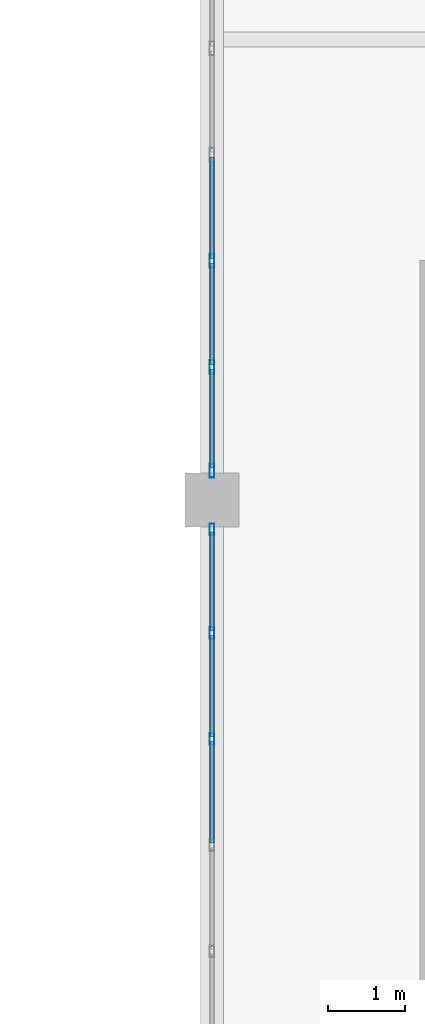
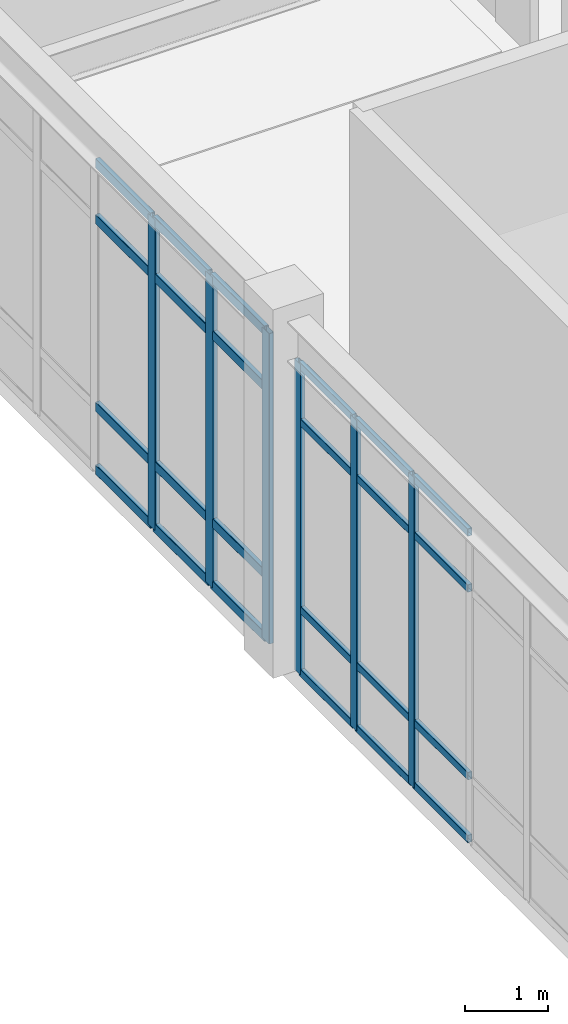
# One storey, part 12 of 80: 30 members, 2 elements without a shape of their own.
"""IFC4 building model written with IfcOpenShell, lengths in metres."""

from ifc_helpers import new_model, si_unit, direction, frame, origin, origin_2d, place, context, subcontext, project, spatial, hollow_rectangle, extrude, material, material_profile, profile_set, type_object, element, aggregate, save


model = new_model("IFC4")

# Units and contexts
model_context = context("Model", 3, precision=1e-05, world=origin(), true_north=direction((0.0, 1.0)))
body_context = subcontext(model_context, "Body", "Model", "MODEL_VIEW")
ifc_project = project(units=[si_unit("LENGTHUNIT", "METRE"), si_unit("AREAUNIT", "SQUARE_METRE"), si_unit("VOLUMEUNIT", "CUBIC_METRE"), si_unit("PLANEANGLEUNIT", "RADIAN"), si_unit("MASSUNIT", "GRAM", prefix="KILO")], contexts=[model_context])

# Site, building, storey
site_placement = place(None, origin())
site = spatial("IfcSite", under=ifc_project, at=site_placement, CompositionType="ELEMENT")
building_placement = place(site_placement, origin())
building = spatial("IfcBuilding", under=site, at=building_placement, Name="Canglan Escarpment Cableway Terminal", CompositionType="ELEMENT")
storey_placement = place(building_placement, frame((0.0, 0.0, 19.199951171875)))
storey = spatial("IfcBuildingStorey", under=building, at=storey_placement, Name="L04", CompositionType="ELEMENT", Elevation=19.199951171875)

# Curtain wall, members
ifc_material_1 = material(Name="Anodized bronze aluminium and Low-E double glazing", Category="aluminium")
curtain_wall_type = type_object("IfcCurtainWallType", Name="CW-BAY-8300x4550", PredefinedType="NOTDEFINED", material=ifc_material_1)
curtain_wall_1_placement = place(storey_placement, origin())
curtain_wall_1 = element("IfcCurtainWall", 1, at=curtain_wall_1_placement, inside=storey, type_object=curtain_wall_type, Name="Classical bay-between-piers glazed curtain wall CW-64", PredefinedType="NOTDEFINED")
ifc_material_2 = material(Name="Thermally broken anodized aluminium 6063-T6", Category="aluminium")
ifc_material_profile_1 = material_profile(ifc_material_2, hollow_rectangle(XDim=0.06494140625, YDim=0.14990234375, WallThickness=0.00341796875, InnerFilletRadius=0.00341796875, OuterFilletRadius=0.007080078125, at=origin_2d()), Name="ALU-MULL 65x150x3.5")
ifc_profile_set_1 = profile_set([ifc_material_profile_1], Name="Thermally broken anodized aluminium 6063-T6")
member_type_1 = type_object("IfcMemberType", Name="CWM-02", PredefinedType="MULLION", material=ifc_profile_set_1)
member_1_placement = place(storey_placement, frame((137.60009765625, 42.617431640625, 0.0), z_axis=(0.0, 0.0, 1.0), x_axis=(1.0, 0.0, 0.0)))
member_1 = element("IfcMember", 2, at=member_1_placement, type_object=member_type_1, Name="CW-64 mullion 1", PredefinedType="MULLION", context=body_context, shape_type="SweptSolid", body=[
    extrude(hollow_rectangle(XDim=0.06494140625, YDim=0.14990234375, WallThickness=0.00341796875, InnerFilletRadius=0.00341796875, OuterFilletRadius=0.007080078125, at=origin_2d()), origin(), (0.0, 0.0, 1.0), 4.551025390625),
])
member_2_placement = place(storey_placement, frame((137.60009765625, 41.2666015625, 0.0), z_axis=(0.0, 0.0, 1.0), x_axis=(1.0, 0.0, 0.0)))
member_2 = element("IfcMember", 3, at=member_2_placement, type_object=member_type_1, Name="CW-64 mullion 2", PredefinedType="MULLION", context=body_context, shape_type="SweptSolid", body=[
    extrude(hollow_rectangle(XDim=0.06494140625, YDim=0.14990234375, WallThickness=0.00341796875, InnerFilletRadius=0.00341796875, OuterFilletRadius=0.007080078125, at=origin_2d()), origin(), (0.0, 0.0, 1.0), 4.551025390625),
])
member_3_placement = place(storey_placement, frame((137.60009765625, 39.88330078125, 0.0), z_axis=(0.0, 0.0, 1.0), x_axis=(1.0, 0.0, 0.0)))
member_3 = element("IfcMember", 4, at=member_3_placement, type_object=member_type_1, Name="CW-64 mullion 3", PredefinedType="MULLION", context=body_context, shape_type="SweptSolid", body=[
    extrude(hollow_rectangle(XDim=0.06494140625, YDim=0.14990234375, WallThickness=0.00341796875, InnerFilletRadius=0.00341796875, OuterFilletRadius=0.007080078125, at=origin_2d()), origin(), (0.0, 0.0, 1.0), 4.551025390625),
])

curtain_wall_2_placement = place(storey_placement, origin())
curtain_wall_2 = element("IfcCurtainWall", 5, at=curtain_wall_2_placement, inside=storey, type_object=curtain_wall_type, Name="Classical bay-between-piers glazed curtain wall CW-64", PredefinedType="NOTDEFINED")
ifc_material_profile_2 = material_profile(ifc_material_2, hollow_rectangle(XDim=0.06494140625, YDim=0.179931640625, WallThickness=0.00390625, InnerFilletRadius=0.00390625, OuterFilletRadius=0.008056640625, at=origin_2d()), Name="ALU-MULL 65x180x4")
ifc_profile_set_2 = profile_set([ifc_material_profile_2], Name="Thermally broken anodized aluminium 6063-T6")
member_type_2 = type_object("IfcMemberType", Name="CWM-03", PredefinedType="MULLION", material=ifc_profile_set_2)
member_4_placement = place(storey_placement, frame((137.60009765625, 46.11669921875, 0.0), z_axis=(0.0, 0.0, 1.0), x_axis=(1.0, 0.0, 0.0)))
member_4 = element("IfcMember", 6, at=member_4_placement, type_object=member_type_2, Name="CW-64 mullion 5", PredefinedType="MULLION", context=body_context, shape_type="SweptSolid", body=[
    extrude(hollow_rectangle(XDim=0.06494140625, YDim=0.179931640625, WallThickness=0.00390625, InnerFilletRadius=0.00390625, OuterFilletRadius=0.008056640625, at=origin_2d()), origin(), (0.0, 0.0, 1.0), 4.551025390625),
])
member_5_placement = place(storey_placement, frame((137.60009765625, 44.7333984375, 0.0), z_axis=(0.0, 0.0, 1.0), x_axis=(1.0, 0.0, 0.0)))
member_5 = element("IfcMember", 7, at=member_5_placement, type_object=member_type_2, Name="CW-64 mullion 6", PredefinedType="MULLION", context=body_context, shape_type="SweptSolid", body=[
    extrude(hollow_rectangle(XDim=0.06494140625, YDim=0.179931640625, WallThickness=0.00390625, InnerFilletRadius=0.00390625, OuterFilletRadius=0.008056640625, at=origin_2d()), origin(), (0.0, 0.0, 1.0), 4.551025390625),
])
member_6_placement = place(storey_placement, frame((137.60009765625, 43.382568359375, 0.0), z_axis=(0.0, 0.0, 1.0), x_axis=(1.0, 0.0, 0.0)))
member_6 = element("IfcMember", 8, at=member_6_placement, type_object=member_type_2, Name="CW-64 mullion 7", PredefinedType="MULLION", context=body_context, shape_type="SweptSolid", body=[
    extrude(hollow_rectangle(XDim=0.06494140625, YDim=0.179931640625, WallThickness=0.00390625, InnerFilletRadius=0.00390625, OuterFilletRadius=0.008056640625, at=origin_2d()), origin(), (0.0, 0.0, 1.0), 4.551025390625),
])

# Member
ifc_material_profile_3 = material_profile(ifc_material_2, hollow_rectangle(XDim=0.06005859375, YDim=0.110107421875, WallThickness=0.0029296875, InnerFilletRadius=0.0029296875, OuterFilletRadius=0.006103515625, at=origin_2d()), Name="ALU-TRAN 60x110x3")
ifc_profile_set_3 = profile_set([ifc_material_profile_3], Name="Thermally broken anodized aluminium 6063-T6")
member_type_3 = type_object("IfcMemberType", Name="CWT-02", PredefinedType="USERDEFINED", material=ifc_profile_set_3)
member_7_placement = place(storey_placement, frame((137.60009765625, 42.5849609375, 0.030029296875), z_axis=(0.0, -1.0, 0.0), x_axis=(1.0, 0.0, 0.0)))
member_7 = element("IfcMember", 9, at=member_7_placement, type_object=member_type_3, Name="CW-64 transom 1.1", ObjectType="TRANSOM", PredefinedType="USERDEFINED", context=body_context, shape_type="SweptSolid", body=[
    extrude(hollow_rectangle(XDim=0.06005859375, YDim=0.110107421875, WallThickness=0.0029296875, InnerFilletRadius=0.0029296875, OuterFilletRadius=0.006103515625, at=origin_2d()), origin(), (0.0, 0.0, 1.0), 1.285888671875),
])

member_8_placement = place(storey_placement, frame((137.60009765625, 42.5849609375, 0.949951171875), z_axis=(0.0, -1.0, 0.0), x_axis=(1.0, 0.0, 0.0)))
member_8 = element("IfcMember", 10, at=member_8_placement, type_object=member_type_3, Name="CW-64 transom 1.2", ObjectType="TRANSOM", PredefinedType="USERDEFINED", context=body_context, shape_type="SweptSolid", body=[
    extrude(hollow_rectangle(XDim=0.06005859375, YDim=0.110107421875, WallThickness=0.0029296875, InnerFilletRadius=0.0029296875, OuterFilletRadius=0.006103515625, at=origin_2d()), origin(), (0.0, 0.0, 1.0), 1.285888671875),
])

member_9_placement = place(storey_placement, frame((137.60009765625, 42.5849609375, 3.700927734375), z_axis=(0.0, -1.0, 0.0), x_axis=(1.0, 0.0, 0.0)))
member_9 = element("IfcMember", 11, at=member_9_placement, type_object=member_type_3, Name="CW-64 transom 1.3", ObjectType="TRANSOM", PredefinedType="USERDEFINED", context=body_context, shape_type="SweptSolid", body=[
    extrude(hollow_rectangle(XDim=0.06005859375, YDim=0.110107421875, WallThickness=0.0029296875, InnerFilletRadius=0.0029296875, OuterFilletRadius=0.006103515625, at=origin_2d()), origin(), (0.0, 0.0, 1.0), 1.285888671875),
])

member_10_placement = place(storey_placement, frame((137.60009765625, 42.5849609375, 4.52099609375), z_axis=(0.0, -1.0, 0.0), x_axis=(1.0, 0.0, 0.0)))
member_10 = element("IfcMember", 12, at=member_10_placement, type_object=member_type_3, Name="CW-64 transom 1.4", ObjectType="TRANSOM", PredefinedType="USERDEFINED", context=body_context, shape_type="SweptSolid", body=[
    extrude(hollow_rectangle(XDim=0.06005859375, YDim=0.110107421875, WallThickness=0.0029296875, InnerFilletRadius=0.0029296875, OuterFilletRadius=0.006103515625, at=origin_2d()), origin(), (0.0, 0.0, 1.0), 1.285888671875),
])

member_11_placement = place(storey_placement, frame((137.60009765625, 41.234130859375, 0.030029296875), z_axis=(0.0, -1.0, 0.0), x_axis=(1.0, 0.0, 0.0)))
member_11 = element("IfcMember", 13, at=member_11_placement, type_object=member_type_3, Name="CW-64 transom 2.1", ObjectType="TRANSOM", PredefinedType="USERDEFINED", context=body_context, shape_type="SweptSolid", body=[
    extrude(hollow_rectangle(XDim=0.06005859375, YDim=0.110107421875, WallThickness=0.0029296875, InnerFilletRadius=0.0029296875, OuterFilletRadius=0.006103515625, at=origin_2d()), origin(), (0.0, 0.0, 1.0), 1.318359375),
])

member_12_placement = place(storey_placement, frame((137.60009765625, 41.234130859375, 0.949951171875), z_axis=(0.0, -1.0, 0.0), x_axis=(1.0, 0.0, 0.0)))
member_12 = element("IfcMember", 14, at=member_12_placement, type_object=member_type_3, Name="CW-64 transom 2.2", ObjectType="TRANSOM", PredefinedType="USERDEFINED", context=body_context, shape_type="SweptSolid", body=[
    extrude(hollow_rectangle(XDim=0.06005859375, YDim=0.110107421875, WallThickness=0.0029296875, InnerFilletRadius=0.0029296875, OuterFilletRadius=0.006103515625, at=origin_2d()), origin(), (0.0, 0.0, 1.0), 1.318359375),
])

member_13_placement = place(storey_placement, frame((137.60009765625, 41.234130859375, 3.700927734375), z_axis=(0.0, -1.0, 0.0), x_axis=(1.0, 0.0, 0.0)))
member_13 = element("IfcMember", 15, at=member_13_placement, type_object=member_type_3, Name="CW-64 transom 2.3", ObjectType="TRANSOM", PredefinedType="USERDEFINED", context=body_context, shape_type="SweptSolid", body=[
    extrude(hollow_rectangle(XDim=0.06005859375, YDim=0.110107421875, WallThickness=0.0029296875, InnerFilletRadius=0.0029296875, OuterFilletRadius=0.006103515625, at=origin_2d()), origin(), (0.0, 0.0, 1.0), 1.318359375),
])

member_14_placement = place(storey_placement, frame((137.60009765625, 41.234130859375, 4.52099609375), z_axis=(0.0, -1.0, 0.0), x_axis=(1.0, 0.0, 0.0)))
member_14 = element("IfcMember", 16, at=member_14_placement, type_object=member_type_3, Name="CW-64 transom 2.4", ObjectType="TRANSOM", PredefinedType="USERDEFINED", context=body_context, shape_type="SweptSolid", body=[
    extrude(hollow_rectangle(XDim=0.06005859375, YDim=0.110107421875, WallThickness=0.0029296875, InnerFilletRadius=0.0029296875, OuterFilletRadius=0.006103515625, at=origin_2d()), origin(), (0.0, 0.0, 1.0), 1.318359375),
])

member_15_placement = place(storey_placement, frame((137.60009765625, 39.850830078125, 0.030029296875), z_axis=(0.0, -1.0, 0.0), x_axis=(1.0, 0.0, 0.0)))
member_15 = element("IfcMember", 17, at=member_15_placement, type_object=member_type_3, Name="CW-64 transom 3.1", ObjectType="TRANSOM", PredefinedType="USERDEFINED", context=body_context, shape_type="SweptSolid", body=[
    extrude(hollow_rectangle(XDim=0.06005859375, YDim=0.110107421875, WallThickness=0.0029296875, InnerFilletRadius=0.0029296875, OuterFilletRadius=0.006103515625, at=origin_2d()), origin(), (0.0, 0.0, 1.0), 1.318359375),
])

member_16_placement = place(storey_placement, frame((137.60009765625, 39.850830078125, 0.949951171875), z_axis=(0.0, -1.0, 0.0), x_axis=(1.0, 0.0, 0.0)))
member_16 = element("IfcMember", 18, at=member_16_placement, type_object=member_type_3, Name="CW-64 transom 3.2", ObjectType="TRANSOM", PredefinedType="USERDEFINED", context=body_context, shape_type="SweptSolid", body=[
    extrude(hollow_rectangle(XDim=0.06005859375, YDim=0.110107421875, WallThickness=0.0029296875, InnerFilletRadius=0.0029296875, OuterFilletRadius=0.006103515625, at=origin_2d()), origin(), (0.0, 0.0, 1.0), 1.318359375),
])

member_17_placement = place(storey_placement, frame((137.60009765625, 39.850830078125, 3.700927734375), z_axis=(0.0, -1.0, 0.0), x_axis=(1.0, 0.0, 0.0)))
member_17 = element("IfcMember", 19, at=member_17_placement, type_object=member_type_3, Name="CW-64 transom 3.3", ObjectType="TRANSOM", PredefinedType="USERDEFINED", context=body_context, shape_type="SweptSolid", body=[
    extrude(hollow_rectangle(XDim=0.06005859375, YDim=0.110107421875, WallThickness=0.0029296875, InnerFilletRadius=0.0029296875, OuterFilletRadius=0.006103515625, at=origin_2d()), origin(), (0.0, 0.0, 1.0), 1.318359375),
])

member_18_placement = place(storey_placement, frame((137.60009765625, 39.850830078125, 4.52099609375), z_axis=(0.0, -1.0, 0.0), x_axis=(1.0, 0.0, 0.0)))
member_18 = element("IfcMember", 20, at=member_18_placement, type_object=member_type_3, Name="CW-64 transom 3.4", ObjectType="TRANSOM", PredefinedType="USERDEFINED", context=body_context, shape_type="SweptSolid", body=[
    extrude(hollow_rectangle(XDim=0.06005859375, YDim=0.110107421875, WallThickness=0.0029296875, InnerFilletRadius=0.0029296875, OuterFilletRadius=0.006103515625, at=origin_2d()), origin(), (0.0, 0.0, 1.0), 1.318359375),
])

aggregate(curtain_wall_1, [member_1, member_2, member_3, member_7, member_8, member_9, member_10, member_11, member_12, member_13, member_14, member_15, member_16, member_17, member_18])

ifc_material_profile_4 = material_profile(ifc_material_2, hollow_rectangle(XDim=0.06494140625, YDim=0.139892578125, WallThickness=0.00341796875, InnerFilletRadius=0.00341796875, OuterFilletRadius=0.007080078125, at=origin_2d()), Name="ALU-TRAN 65x140x3.5")
ifc_profile_set_4 = profile_set([ifc_material_profile_4], Name="Thermally broken anodized aluminium 6063-T6")
member_type_4 = type_object("IfcMemberType", Name="CWT-03", PredefinedType="USERDEFINED", material=ifc_profile_set_4)
member_19_placement = place(storey_placement, frame((137.60009765625, 47.467529296875, 0.032470703125), z_axis=(0.0, -1.0, 0.0), x_axis=(1.0, 0.0, 0.0)))
member_19 = element("IfcMember", 21, at=member_19_placement, type_object=member_type_4, Name="CW-64 transom 4.1", ObjectType="TRANSOM", PredefinedType="USERDEFINED", context=body_context, shape_type="SweptSolid", body=[
    extrude(hollow_rectangle(XDim=0.06494140625, YDim=0.139892578125, WallThickness=0.00341796875, InnerFilletRadius=0.00341796875, OuterFilletRadius=0.007080078125, at=origin_2d()), origin(), (0.0, 0.0, 1.0), 1.318359375),
])

member_20_placement = place(storey_placement, frame((137.60009765625, 47.467529296875, 0.949951171875), z_axis=(0.0, -1.0, 0.0), x_axis=(1.0, 0.0, 0.0)))
member_20 = element("IfcMember", 22, at=member_20_placement, type_object=member_type_4, Name="CW-64 transom 4.2", ObjectType="TRANSOM", PredefinedType="USERDEFINED", context=body_context, shape_type="SweptSolid", body=[
    extrude(hollow_rectangle(XDim=0.06494140625, YDim=0.139892578125, WallThickness=0.00341796875, InnerFilletRadius=0.00341796875, OuterFilletRadius=0.007080078125, at=origin_2d()), origin(), (0.0, 0.0, 1.0), 1.318359375),
])

member_21_placement = place(storey_placement, frame((137.60009765625, 47.467529296875, 3.700927734375), z_axis=(0.0, -1.0, 0.0), x_axis=(1.0, 0.0, 0.0)))
member_21 = element("IfcMember", 23, at=member_21_placement, type_object=member_type_4, Name="CW-64 transom 4.3", ObjectType="TRANSOM", PredefinedType="USERDEFINED", context=body_context, shape_type="SweptSolid", body=[
    extrude(hollow_rectangle(XDim=0.06494140625, YDim=0.139892578125, WallThickness=0.00341796875, InnerFilletRadius=0.00341796875, OuterFilletRadius=0.007080078125, at=origin_2d()), origin(), (0.0, 0.0, 1.0), 1.318359375),
])

member_22_placement = place(storey_placement, frame((137.60009765625, 47.467529296875, 4.5185546875), z_axis=(0.0, -1.0, 0.0), x_axis=(1.0, 0.0, 0.0)))
member_22 = element("IfcMember", 24, at=member_22_placement, type_object=member_type_4, Name="CW-64 transom 4.4", ObjectType="TRANSOM", PredefinedType="USERDEFINED", context=body_context, shape_type="SweptSolid", body=[
    extrude(hollow_rectangle(XDim=0.06494140625, YDim=0.139892578125, WallThickness=0.00341796875, InnerFilletRadius=0.00341796875, OuterFilletRadius=0.007080078125, at=origin_2d()), origin(), (0.0, 0.0, 1.0), 1.318359375),
])

member_23_placement = place(storey_placement, frame((137.60009765625, 46.084228515625, 0.032470703125), z_axis=(0.0, -1.0, 0.0), x_axis=(1.0, 0.0, 0.0)))
member_23 = element("IfcMember", 25, at=member_23_placement, type_object=member_type_4, Name="CW-64 transom 5.1", ObjectType="TRANSOM", PredefinedType="USERDEFINED", context=body_context, shape_type="SweptSolid", body=[
    extrude(hollow_rectangle(XDim=0.06494140625, YDim=0.139892578125, WallThickness=0.00341796875, InnerFilletRadius=0.00341796875, OuterFilletRadius=0.007080078125, at=origin_2d()), origin(), (0.0, 0.0, 1.0), 1.318359375),
])

member_24_placement = place(storey_placement, frame((137.60009765625, 46.084228515625, 0.949951171875), z_axis=(0.0, -1.0, 0.0), x_axis=(1.0, 0.0, 0.0)))
member_24 = element("IfcMember", 26, at=member_24_placement, type_object=member_type_4, Name="CW-64 transom 5.2", ObjectType="TRANSOM", PredefinedType="USERDEFINED", context=body_context, shape_type="SweptSolid", body=[
    extrude(hollow_rectangle(XDim=0.06494140625, YDim=0.139892578125, WallThickness=0.00341796875, InnerFilletRadius=0.00341796875, OuterFilletRadius=0.007080078125, at=origin_2d()), origin(), (0.0, 0.0, 1.0), 1.318359375),
])

member_25_placement = place(storey_placement, frame((137.60009765625, 46.084228515625, 3.700927734375), z_axis=(0.0, -1.0, 0.0), x_axis=(1.0, 0.0, 0.0)))
member_25 = element("IfcMember", 27, at=member_25_placement, type_object=member_type_4, Name="CW-64 transom 5.3", ObjectType="TRANSOM", PredefinedType="USERDEFINED", context=body_context, shape_type="SweptSolid", body=[
    extrude(hollow_rectangle(XDim=0.06494140625, YDim=0.139892578125, WallThickness=0.00341796875, InnerFilletRadius=0.00341796875, OuterFilletRadius=0.007080078125, at=origin_2d()), origin(), (0.0, 0.0, 1.0), 1.318359375),
])

member_26_placement = place(storey_placement, frame((137.60009765625, 46.084228515625, 4.5185546875), z_axis=(0.0, -1.0, 0.0), x_axis=(1.0, 0.0, 0.0)))
member_26 = element("IfcMember", 28, at=member_26_placement, type_object=member_type_4, Name="CW-64 transom 5.4", ObjectType="TRANSOM", PredefinedType="USERDEFINED", context=body_context, shape_type="SweptSolid", body=[
    extrude(hollow_rectangle(XDim=0.06494140625, YDim=0.139892578125, WallThickness=0.00341796875, InnerFilletRadius=0.00341796875, OuterFilletRadius=0.007080078125, at=origin_2d()), origin(), (0.0, 0.0, 1.0), 1.318359375),
])

member_27_placement = place(storey_placement, frame((137.60009765625, 44.700927734375, 0.032470703125), z_axis=(0.0, -1.0, 0.0), x_axis=(1.0, 0.0, 0.0)))
member_27 = element("IfcMember", 29, at=member_27_placement, type_object=member_type_4, Name="CW-64 transom 6.1", ObjectType="TRANSOM", PredefinedType="USERDEFINED", context=body_context, shape_type="SweptSolid", body=[
    extrude(hollow_rectangle(XDim=0.06494140625, YDim=0.139892578125, WallThickness=0.00341796875, InnerFilletRadius=0.00341796875, OuterFilletRadius=0.007080078125, at=origin_2d()), origin(), (0.0, 0.0, 1.0), 1.285888671875),
])

member_28_placement = place(storey_placement, frame((137.60009765625, 44.700927734375, 0.949951171875), z_axis=(0.0, -1.0, 0.0), x_axis=(1.0, 0.0, 0.0)))
member_28 = element("IfcMember", 30, at=member_28_placement, type_object=member_type_4, Name="CW-64 transom 6.2", ObjectType="TRANSOM", PredefinedType="USERDEFINED", context=body_context, shape_type="SweptSolid", body=[
    extrude(hollow_rectangle(XDim=0.06494140625, YDim=0.139892578125, WallThickness=0.00341796875, InnerFilletRadius=0.00341796875, OuterFilletRadius=0.007080078125, at=origin_2d()), origin(), (0.0, 0.0, 1.0), 1.285888671875),
])

member_29_placement = place(storey_placement, frame((137.60009765625, 44.700927734375, 3.700927734375), z_axis=(0.0, -1.0, 0.0), x_axis=(1.0, 0.0, 0.0)))
member_29 = element("IfcMember", 31, at=member_29_placement, type_object=member_type_4, Name="CW-64 transom 6.3", ObjectType="TRANSOM", PredefinedType="USERDEFINED", context=body_context, shape_type="SweptSolid", body=[
    extrude(hollow_rectangle(XDim=0.06494140625, YDim=0.139892578125, WallThickness=0.00341796875, InnerFilletRadius=0.00341796875, OuterFilletRadius=0.007080078125, at=origin_2d()), origin(), (0.0, 0.0, 1.0), 1.285888671875),
])

member_30_placement = place(storey_placement, frame((137.60009765625, 44.700927734375, 4.5185546875), z_axis=(0.0, -1.0, 0.0), x_axis=(1.0, 0.0, 0.0)))
member_30 = element("IfcMember", 32, at=member_30_placement, type_object=member_type_4, Name="CW-64 transom 6.4", ObjectType="TRANSOM", PredefinedType="USERDEFINED", context=body_context, shape_type="SweptSolid", body=[
    extrude(hollow_rectangle(XDim=0.06494140625, YDim=0.139892578125, WallThickness=0.00341796875, InnerFilletRadius=0.00341796875, OuterFilletRadius=0.007080078125, at=origin_2d()), origin(), (0.0, 0.0, 1.0), 1.285888671875),
])

aggregate(curtain_wall_2, [member_4, member_5, member_6, member_19, member_20, member_21, member_22, member_23, member_24, member_25, member_26, member_27, member_28, member_29, member_30])

save(model, "model.ifc")
